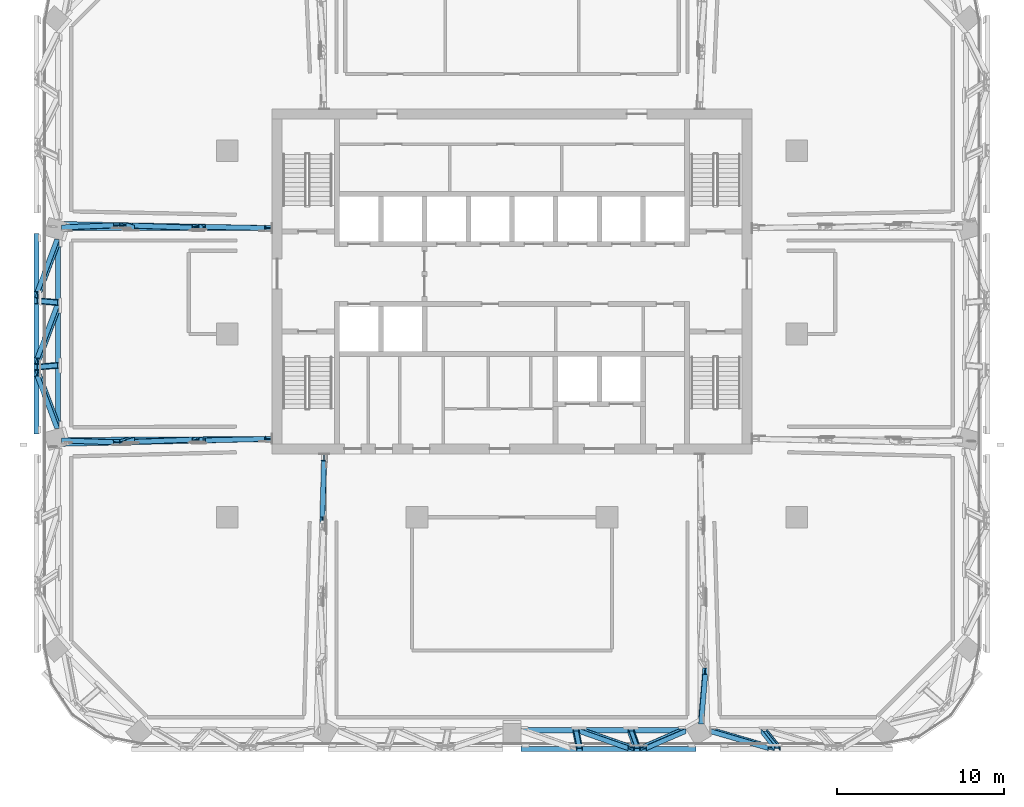
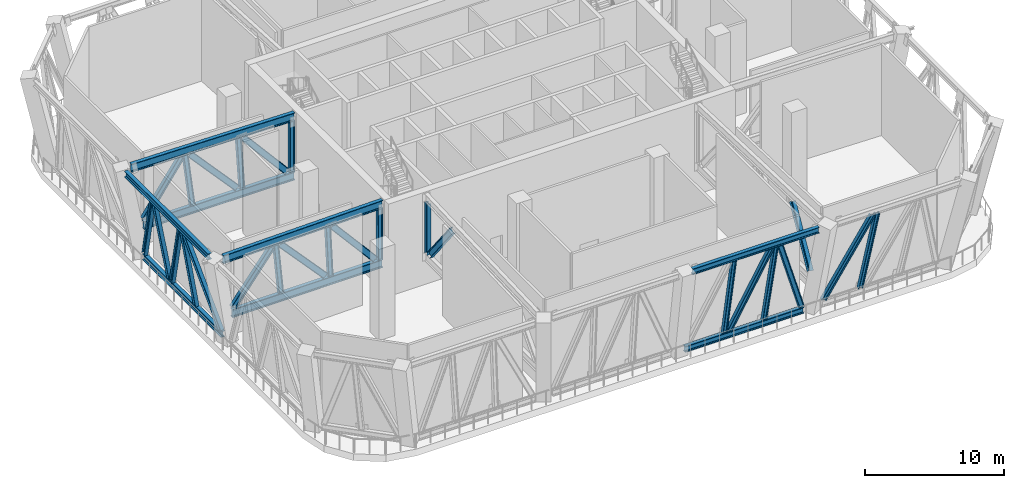
# One storey, part 2 of 24: 34 members.
"""IFC4 building model written with IfcOpenShell, lengths in metres."""

from ifc_helpers import new_model, si_unit, direction, frame, origin, origin_2d, place, context, subcontext, project, spatial, i_section, extrude, material, material_profile, profile_set, type_object, element, save


model = new_model("IFC4")

# Units and contexts
model_context = context("Model", 3, precision=1e-05, world=origin(), true_north=direction((0.0, 1.0)))
body_context = subcontext(model_context, "Body", "Model", "MODEL_VIEW")
ifc_project = project(units=[si_unit("LENGTHUNIT", "METRE"), si_unit("AREAUNIT", "SQUARE_METRE"), si_unit("VOLUMEUNIT", "CUBIC_METRE"), si_unit("PLANEANGLEUNIT", "RADIAN"), si_unit("MASSUNIT", "GRAM", prefix="KILO")], contexts=[model_context])

# Site, building, storey
site_placement = place(None, origin())
site = spatial("IfcSite", under=ifc_project, at=site_placement, CompositionType="ELEMENT")
building_placement = place(site_placement, origin())
building = spatial("IfcBuilding", under=site, at=building_placement, Name="Mopane Tessera Tower", CompositionType="ELEMENT")
storey_placement = place(building_placement, frame((0.0, 0.0, 259.0)))
storey = spatial("IfcBuildingStorey", under=building, at=storey_placement, Name="L56", CompositionType="ELEMENT", Elevation=259.0)

# Members
ifc_material_1 = material(Name="Structural steel S460", Category="steel")
ifc_material_profile_1 = material_profile(ifc_material_1, i_section(OverallWidth=0.305908203125, OverallDepth=0.52392578125, WebThickness=0.02099609375, FlangeThickness=0.0400390625, FilletRadius=0.027099609375, at=origin_2d()))
ifc_profile_set_1 = profile_set([ifc_material_profile_1], Name="Structural steel S460")
member_type_1 = type_object("IfcMemberType", Name="Belt truss chord HE 500 M", PredefinedType="CHORD", material=ifc_profile_set_1)
member_1_placement = place(storey_placement, frame((0.549560546875, -23.7890625, 0.261962890625), z_axis=(1.0, 0.0, 0.0), x_axis=(0.0, 1.0, 0.0)))
element("IfcMember", 1, at=member_1_placement, inside=storey, type_object=member_type_1, Name="Belt truss bottom chord L56 S2-S3", PredefinedType="CHORD", context=body_context, shape_type="SweptSolid", body=[
    extrude(i_section(OverallWidth=0.305908203125, OverallDepth=0.52392578125, WebThickness=0.02099609375, FlangeThickness=0.0400390625, FilletRadius=0.027099609375, at=origin_2d()), origin(), (0.0, 0.0, 1.0), 9.84912109375),
])
member_2_placement = place(storey_placement, frame((0.549560546875, -24.9013671875, 7.738037109375), z_axis=(1.0, 0.0, 0.0), x_axis=(0.0, 1.0, 0.0)))
element("IfcMember", 2, at=member_2_placement, inside=storey, type_object=member_type_1, Name="Belt truss top chord L56 S2-S3", PredefinedType="CHORD", context=body_context, shape_type="SweptSolid", body=[
    extrude(i_section(OverallWidth=0.305908203125, OverallDepth=0.52392578125, WebThickness=0.02099609375, FlangeThickness=0.0400390625, FilletRadius=0.027099609375, at=origin_2d()), origin(), (0.0, 0.0, 1.0), 10.494384765625),
])
member_3_placement = place(storey_placement, frame((-27.2451171875, 5.647216796875, 0.261962890625), z_axis=(0.0, -1.0, 0.0), x_axis=(1.0, 0.0, 0.0)))
element("IfcMember", 3, at=member_3_placement, inside=storey, type_object=member_type_1, Name="Belt truss bottom chord L56 W1-W2", PredefinedType="CHORD", context=body_context, shape_type="SweptSolid", body=[
    extrude(i_section(OverallWidth=0.305908203125, OverallDepth=0.52392578125, WebThickness=0.02099609375, FlangeThickness=0.0400390625, FilletRadius=0.027099609375, at=origin_2d()), origin(), (0.0, 0.0, 1.0), 11.29443359375),
])
member_4_placement = place(storey_placement, frame((-28.53564453125, 6.01806640625, 7.738037109375), z_axis=(0.0, -1.0, 0.0), x_axis=(1.0, 0.0, 0.0)))
element("IfcMember", 4, at=member_4_placement, inside=storey, type_object=member_type_1, Name="Belt truss top chord L56 W1-W2", PredefinedType="CHORD", context=body_context, shape_type="SweptSolid", body=[
    extrude(i_section(OverallWidth=0.305908203125, OverallDepth=0.52392578125, WebThickness=0.02099609375, FlangeThickness=0.0400390625, FilletRadius=0.027099609375, at=origin_2d()), origin(), (0.0, 0.0, 1.0), 12.0361328125),
])
ifc_material_2 = material(Name="Structural steel S460", Category="steel")
ifc_material_profile_2 = material_profile(ifc_material_2, i_section(OverallWidth=0.300048828125, OverallDepth=0.39990234375, WebThickness=0.013427734375, FlangeThickness=0.02392578125, FilletRadius=0.027099609375, at=origin_2d()))
ifc_profile_set_2 = profile_set([ifc_material_profile_2], Name="Structural steel S460")
member_type_2 = type_object("IfcMemberType", Name="Belt truss diagonal HE 400 B", PredefinedType="BRACE", material=ifc_profile_set_2)
member_5_placement = place(storey_placement, frame((4.195556640625, -23.832763671875, 0.55615234375), z_axis=(0.389358823278, -0.135566752934, 0.911055081888), x_axis=(0.053271442179, 0.990768214809, 0.124661533653)))
element("IfcMember", 5, at=member_5_placement, inside=storey, type_object=member_type_2, Name="Belt truss diagonal 1 L56 S2-S3", PredefinedType="BRACE", context=body_context, shape_type="SweptSolid", body=[
    extrude(i_section(OverallWidth=0.300048828125, OverallDepth=0.39990234375, WebThickness=0.013427734375, FlangeThickness=0.02392578125, FilletRadius=0.027099609375, at=origin_2d()), origin(), (0.0, 0.0, 1.0), 7.56005859375),
])
member_6_placement = place(storey_placement, frame((7.882080078125, -24.85693359375, 7.439208984375), z_axis=(0.322539725509, 0.139304196305, -0.936249147589), x_axis=(-0.045353355245, 0.990249635418, 0.131714588119)))
element("IfcMember", 6, at=member_6_placement, inside=storey, type_object=member_type_2, Name="Belt truss diagonal 2 L56 S2-S3", PredefinedType="BRACE", context=body_context, shape_type="SweptSolid", body=[
    extrude(i_section(OverallWidth=0.300048828125, OverallDepth=0.39990234375, WebThickness=0.013427734375, FlangeThickness=0.02392578125, FilletRadius=0.027099609375, at=origin_2d()), origin(), (0.0, 0.0, 1.0), 7.3466796875),
])
member_7_placement = place(storey_placement, frame((12.045654296875, -23.833251953125, 0.5595703125), z_axis=(0.450040201118, -0.131439317792, 0.883282244312), x_axis=(0.059668651394, 0.991324218272, 0.117115098546)))
element("IfcMember", 7, at=member_7_placement, inside=storey, type_object=member_type_2, Name="Belt truss diagonal 0 L56 S3-S4", PredefinedType="BRACE", context=body_context, shape_type="SweptSolid", body=[
    extrude(i_section(OverallWidth=0.300048828125, OverallDepth=0.39990234375, WebThickness=0.013427734375, FlangeThickness=0.02392578125, FilletRadius=0.027099609375, at=origin_2d()), origin(), (0.0, 0.0, 1.0), 7.7900390625),
])
member_8_placement = place(storey_placement, frame((-27.298828125, 5.497314453125, 0.5732421875), z_axis=(-0.155000249339, -0.412033267021, 0.89788836142), x_axis=(0.987914430128, -0.064681572715, 0.140859408261)))
element("IfcMember", 8, at=member_8_placement, inside=storey, type_object=member_type_2, Name="Belt truss diagonal 0 L56 W1-W2", PredefinedType="BRACE", context=body_context, shape_type="SweptSolid", body=[
    extrude(i_section(OverallWidth=0.300048828125, OverallDepth=0.39990234375, WebThickness=0.013427734375, FlangeThickness=0.02392578125, FilletRadius=0.027099609375, at=origin_2d()), origin(), (0.0, 0.0, 1.0), 7.6328125),
])
member_9_placement = place(storey_placement, frame((-27.298095703125, 1.5400390625, 0.56884765625), z_axis=(-0.15487208071, -0.413609320248, 0.897185582152), x_axis=(0.987934531433, -0.064825251445, 0.140652224928)))
element("IfcMember", 9, at=member_9_placement, inside=storey, type_object=member_type_2, Name="Belt truss diagonal 1 L56 W1-W2", PredefinedType="BRACE", context=body_context, shape_type="SweptSolid", body=[
    extrude(i_section(OverallWidth=0.300048828125, OverallDepth=0.39990234375, WebThickness=0.013427734375, FlangeThickness=0.02392578125, FilletRadius=0.027099609375, at=origin_2d()), origin(), (0.0, 0.0, 1.0), 7.648681640625),
])
member_10_placement = place(storey_placement, frame((-28.48193359375, -2.352294921875, 7.4267578125), z_axis=(0.155000249339, -0.412033267021, -0.89788836142), x_axis=(0.987914430128, 0.064681572715, 0.140859408261)))
element("IfcMember", 10, at=member_10_placement, inside=storey, type_object=member_type_2, Name="Belt truss diagonal 2 L56 W1-W2", PredefinedType="BRACE", context=body_context, shape_type="SweptSolid", body=[
    extrude(i_section(OverallWidth=0.300048828125, OverallDepth=0.39990234375, WebThickness=0.013427734375, FlangeThickness=0.02392578125, FilletRadius=0.027099609375, at=origin_2d()), origin(), (0.0, 0.0, 1.0), 7.6328125),
])
ifc_material_3 = material(Name="Structural steel S460", Category="steel")
ifc_material_profile_3 = material_profile(ifc_material_3, i_section(OverallWidth=0.300048828125, OverallDepth=0.360107421875, WebThickness=0.012451171875, FlangeThickness=0.0224609375, FilletRadius=0.027099609375, at=origin_2d()))
ifc_profile_set_3 = profile_set([ifc_material_profile_3], Name="Structural steel S460")
member_type_3 = type_object("IfcMemberType", Name="Belt truss post HE 360 B", PredefinedType="POST", material=ifc_profile_set_3)
member_11_placement = place(storey_placement, frame((3.84033203125, -23.827880859375, 0.52392578125), z_axis=(0.029407583865, -0.147142078416, 0.988678108775), x_axis=(0.004329345509, 0.989115365741, 0.147078380544)))
element("IfcMember", 11, at=member_11_placement, inside=storey, type_object=member_type_3, Name="Belt truss post 1 L56 S2-S3", PredefinedType="POST", context=body_context, shape_type="SweptSolid", body=[
    extrude(i_section(OverallWidth=0.300048828125, OverallDepth=0.360107421875, WebThickness=0.012451171875, FlangeThickness=0.0224609375, FilletRadius=0.027099609375, at=origin_2d()), origin(), (0.0, 0.0, 1.0), 7.03173828125),
])
member_12_placement = place(storey_placement, frame((7.130126953125, -23.827880859375, 0.52392578125), z_axis=(0.054521762792, -0.146986787986, 0.987634680203), x_axis=(0.00814252161, 0.989138454689, 0.146761087477)))
element("IfcMember", 12, at=member_12_placement, inside=storey, type_object=member_type_3, Name="Belt truss post 2 L56 S2-S3", PredefinedType="POST", context=body_context, shape_type="SweptSolid", body=[
    extrude(i_section(OverallWidth=0.300048828125, OverallDepth=0.360107421875, WebThickness=0.012451171875, FlangeThickness=0.0224609375, FilletRadius=0.027099609375, at=origin_2d()), origin(), (0.0, 0.0, 1.0), 7.039306640625),
])
member_13_placement = place(storey_placement, frame((15.113037109375, -23.827880859375, 0.52392578125), z_axis=(0.115002703841, -0.14622906057, 0.98254335271), x_axis=(0.016961755539, 0.989250757106, 0.145241999487)))
element("IfcMember", 13, at=member_13_placement, inside=storey, type_object=member_type_3, Name="Belt truss post 1 L56 S3-S4", PredefinedType="POST", context=body_context, shape_type="SweptSolid", body=[
    extrude(i_section(OverallWidth=0.300048828125, OverallDepth=0.360107421875, WebThickness=0.012451171875, FlangeThickness=0.0224609375, FilletRadius=0.027099609375, at=origin_2d()), origin(), (0.0, 0.0, 1.0), 7.07568359375),
])
for number, where, z_axis, x_axis, name in (
    (14, (-27.290283203125, 1.88623046875, 0.52392578125), (-0.170101743436, 0.01470570402, 0.985316770967), (0.985426502995, 0.002473687566, 0.170083767787), "Belt truss post 1 L56 W1-W2"),
    (15, (-27.290283203125, -1.88623046875, 0.52392578125), (-0.170101743436, -0.01470570402, 0.985316770967), (0.985426502995, -0.002473687566, 0.170083767787), "Belt truss post 2 L56 W1-W2"),
):
    element("IfcMember", number, at=place(storey_placement, frame(where, z_axis=z_axis, x_axis=x_axis)), inside=storey, type_object=member_type_3, Name=name, PredefinedType="POST", context=body_context, shape_type="SweptSolid", body=[
        extrude(i_section(OverallWidth=0.300048828125, OverallDepth=0.360107421875, WebThickness=0.012451171875, FlangeThickness=0.0224609375, FilletRadius=0.027099609375, at=origin_2d()), origin(), (0.0, 0.0, 1.0), 7.0556640625),
    ])
ifc_material_4 = material(Name="Structural steel S460", Category="steel")
ifc_material_profile_4 = material_profile(ifc_material_4, i_section(OverallWidth=0.303955078125, OverallDepth=0.716064453125, WebThickness=0.02099609375, FlangeThickness=0.0400390625, FilletRadius=0.027099609375, at=origin_2d()))
ifc_profile_set_4 = profile_set([ifc_material_profile_4], Name="Structural steel S460")
member_type_4 = type_object("IfcMemberType", Name="Outrigger truss chord HE 700 M", PredefinedType="CHORD", material=ifc_profile_set_4)
member_14_placement = place(storey_placement, frame((-14.414794921875, 6.354248046875, 2.4580078125), z_axis=(-0.999999094567, 0.001345683813, 0.0), x_axis=(-0.001345683813, -0.999999094567, 0.0)))
element("IfcMember", 16, at=member_14_placement, inside=storey, type_object=member_type_4, Name="Outrigger truss bottom chord L56 W1", PredefinedType="CHORD", context=body_context, shape_type="SweptSolid", body=[
    extrude(i_section(OverallWidth=0.303955078125, OverallDepth=0.716064453125, WebThickness=0.02099609375, FlangeThickness=0.0400390625, FilletRadius=0.027099609375, at=origin_2d()), origin(), (0.0, 0.0, 1.0), 12.518310546875),
])
member_15_placement = place(storey_placement, frame((-14.414794921875, 6.3544921875, 7.64208984375), z_axis=(-0.999810504162, 0.01946678627, 0.0), x_axis=(-0.01946678627, -0.999810504162, 0.0)))
element("IfcMember", 17, at=member_15_placement, inside=storey, type_object=member_type_4, Name="Outrigger truss top chord L56 W1", PredefinedType="CHORD", context=body_context, shape_type="SweptSolid", body=[
    extrude(i_section(OverallWidth=0.303955078125, OverallDepth=0.716064453125, WebThickness=0.02099609375, FlangeThickness=0.0400390625, FilletRadius=0.027099609375, at=origin_2d()), origin(), (0.0, 0.0, 1.0), 13.419189453125),
])
member_16_placement = place(storey_placement, frame((-14.415283203125, -6.300048828125, 2.4580078125), z_axis=(-0.999985199047, -0.0054407432, 0.0), x_axis=(0.0054407432, -0.999985199047, 0.0)))
element("IfcMember", 18, at=member_16_placement, inside=storey, type_object=member_type_4, Name="Outrigger truss bottom chord L56 W2", PredefinedType="CHORD", context=body_context, shape_type="SweptSolid", body=[
    extrude(i_section(OverallWidth=0.303955078125, OverallDepth=0.716064453125, WebThickness=0.02099609375, FlangeThickness=0.0400390625, FilletRadius=0.027099609375, at=origin_2d()), origin(), (0.0, 0.0, 1.0), 12.51953125),
])
member_17_placement = place(storey_placement, frame((-14.415283203125, -6.30029296875, 7.64208984375), z_axis=(-0.999728472571, -0.023301955519, 0.0), x_axis=(0.023301955519, -0.999728472571, 0.0)))
element("IfcMember", 19, at=member_17_placement, inside=storey, type_object=member_type_4, Name="Outrigger truss top chord L56 W2", PredefinedType="CHORD", context=body_context, shape_type="SweptSolid", body=[
    extrude(i_section(OverallWidth=0.303955078125, OverallDepth=0.716064453125, WebThickness=0.02099609375, FlangeThickness=0.0400390625, FilletRadius=0.027099609375, at=origin_2d()), origin(), (0.0, 0.0, 1.0), 13.42138671875),
])
ifc_material_5 = material(Name="Structural steel S460", Category="steel")
ifc_material_profile_5 = material_profile(ifc_material_5, i_section(OverallWidth=0.300048828125, OverallDepth=0.5, WebThickness=0.014404296875, FlangeThickness=0.028076171875, FilletRadius=0.027099609375, at=origin_2d()))
ifc_profile_set_5 = profile_set([ifc_material_profile_5], Name="Structural steel S460")
member_type_5 = type_object("IfcMemberType", Name="Outrigger truss diagonal HE 500 B", PredefinedType="BRACE", material=ifc_profile_set_5)
member_18_placement = place(storey_placement, frame((-14.98876953125, 6.35595703125, 2.940185546875), z_axis=(-0.649393255527, 0.013197261662, 0.760338235235), x_axis=(-0.009362805159, -0.999912370188, 0.009358943607)))
element("IfcMember", 20, at=member_18_placement, inside=storey, type_object=member_type_5, Name="Outrigger truss diagonal 0 L56 W1", PredefinedType="BRACE", context=body_context, shape_type="SweptSolid", body=[
    extrude(i_section(OverallWidth=0.300048828125, OverallDepth=0.5, WebThickness=0.014404296875, FlangeThickness=0.028076171875, FilletRadius=0.027099609375, at=origin_2d()), origin(), (0.0, 0.0, 1.0), 5.5498046875),
])
member_19_placement = place(storey_placement, frame((-19.120849609375, 6.368896484375, 2.940185546875), z_axis=(-0.671895085158, 0.024240987902, 0.740249531608), x_axis=(-0.017033649707, -0.999705642869, 0.01727664298)))
element("IfcMember", 21, at=member_19_placement, inside=storey, type_object=member_type_5, Name="Outrigger truss diagonal 1 L56 W1", PredefinedType="BRACE", context=body_context, shape_type="SweptSolid", body=[
    extrude(i_section(OverallWidth=0.300048828125, OverallDepth=0.5, WebThickness=0.014404296875, FlangeThickness=0.028076171875, FilletRadius=0.027099609375, at=origin_2d()), origin(), (0.0, 0.0, 1.0), 5.700439453125),
])
member_20_placement = place(storey_placement, frame((-23.730224609375, 6.520751953125, 7.153076171875), z_axis=(-0.595278252475, -0.024288508853, -0.803152457799), x_axis=(0.013561629314, -0.999704361891, 0.020180957037)))
element("IfcMember", 22, at=member_20_placement, inside=storey, type_object=member_type_5, Name="Outrigger truss diagonal 2 L56 W1", PredefinedType="BRACE", context=body_context, shape_type="SweptSolid", body=[
    extrude(i_section(OverallWidth=0.300048828125, OverallDepth=0.5, WebThickness=0.014404296875, FlangeThickness=0.028076171875, FilletRadius=0.027099609375, at=origin_2d()), origin(), (0.0, 0.0, 1.0), 5.23681640625),
])
member_21_placement = place(storey_placement, frame((-14.989501953125, -6.30419921875, 2.940185546875), z_axis=(-0.649395612359, -0.015659746528, 0.760289491567), x_axis=(0.013310752337, -0.999868852077, -0.009225102672)))
element("IfcMember", 23, at=member_21_placement, inside=storey, type_object=member_type_5, Name="Outrigger truss diagonal 0 L56 W2", PredefinedType="BRACE", context=body_context, shape_type="SweptSolid", body=[
    extrude(i_section(OverallWidth=0.300048828125, OverallDepth=0.5, WebThickness=0.014404296875, FlangeThickness=0.028076171875, FilletRadius=0.027099609375, at=origin_2d()), origin(), (0.0, 0.0, 1.0), 5.550048828125),
])
member_22_placement = place(storey_placement, frame((-19.121826171875, -6.333984375, 2.940185546875), z_axis=(-0.671876819499, -0.026679792119, 0.740182226288), x_axis=(0.020936535323, -0.999635800003, -0.017027296964)))
element("IfcMember", 24, at=member_22_placement, inside=storey, type_object=member_type_5, Name="Outrigger truss diagonal 1 L56 W2", PredefinedType="BRACE", context=body_context, shape_type="SweptSolid", body=[
    extrude(i_section(OverallWidth=0.300048828125, OverallDepth=0.5, WebThickness=0.014404296875, FlangeThickness=0.028076171875, FilletRadius=0.027099609375, at=origin_2d()), origin(), (0.0, 0.0, 1.0), 5.700927734375),
])
member_23_placement = place(storey_placement, frame((-23.7314453125, -6.502685546875, 7.153076171875), z_axis=(-0.59534587032, 0.021538746444, -0.803180787304), x_axis=(-0.009328879306, -0.999758542568, -0.019895441022)))
element("IfcMember", 25, at=member_23_placement, inside=storey, type_object=member_type_5, Name="Outrigger truss diagonal 2 L56 W2", PredefinedType="BRACE", context=body_context, shape_type="SweptSolid", body=[
    extrude(i_section(OverallWidth=0.300048828125, OverallDepth=0.5, WebThickness=0.014404296875, FlangeThickness=0.028076171875, FilletRadius=0.027099609375, at=origin_2d()), origin(), (0.0, 0.0, 1.0), 5.23681640625),
])
member_24_placement = place(storey_placement, frame((-11.283935546875, -7.791748046875, 2.935302734375), z_axis=(-0.017716543974, -0.62431658396, 0.780970503324), x_axis=(0.999842066409, -0.012157918082, 0.012962533167)))
element("IfcMember", 26, at=member_24_placement, inside=storey, type_object=member_type_5, Name="Outrigger truss diagonal 0 L56 S1", PredefinedType="BRACE", context=body_context, shape_type="SweptSolid", body=[
    extrude(i_section(OverallWidth=0.300048828125, OverallDepth=0.5, WebThickness=0.014404296875, FlangeThickness=0.028076171875, FilletRadius=0.027099609375, at=origin_2d()), origin(), (0.0, 0.0, 1.0), 5.415771484375),
])
member_25_placement = place(storey_placement, frame((11.60400390625, -20.223876953125, 7.157470703125), z_axis=(-0.04912804951, -0.57773831134, -0.814742215895), x_axis=(0.998791372315, -0.027198006466, -0.040939748808)))
element("IfcMember", 27, at=member_25_placement, inside=storey, type_object=member_type_5, Name="Outrigger truss diagonal 3 L56 S3", PredefinedType="BRACE", context=body_context, shape_type="SweptSolid", body=[
    extrude(i_section(OverallWidth=0.300048828125, OverallDepth=0.5, WebThickness=0.014404296875, FlangeThickness=0.028076171875, FilletRadius=0.027099609375, at=origin_2d()), origin(), (0.0, 0.0, 1.0), 5.17333984375),
])
ifc_material_6 = material(Name="Structural steel S460", Category="steel")
ifc_material_profile_6 = material_profile(ifc_material_6, i_section(OverallWidth=0.300048828125, OverallDepth=0.39990234375, WebThickness=0.013427734375, FlangeThickness=0.02392578125, FilletRadius=0.027099609375, at=origin_2d()))
ifc_profile_set_6 = profile_set([ifc_material_profile_6], Name="Structural steel S460")
member_type_6 = type_object("IfcMemberType", Name="Outrigger truss post HE 400 B", PredefinedType="POST", material=ifc_profile_set_6)
member_26_placement = place(storey_placement, frame((-14.61572265625, 6.354736328125, 2.81591796875), z_axis=(-0.002786721209, 0.000819623885, 0.999995781192), x_axis=(-0.007518809235, -0.999971414424, 0.000798651)))
element("IfcMember", 28, at=member_26_placement, inside=storey, type_object=member_type_6, Name="Outrigger truss post 0 L56 W1", PredefinedType="POST", context=body_context, shape_type="SweptSolid", body=[
    extrude(i_section(OverallWidth=0.300048828125, OverallDepth=0.39990234375, WebThickness=0.013427734375, FlangeThickness=0.02392578125, FilletRadius=0.027099609375, at=origin_2d()), origin(), (0.0, 0.0, 1.0), 4.468017578125),
])
member_27_placement = place(storey_placement, frame((-18.740966796875, 6.36572265625, 2.81591796875), z_axis=(-0.056347903255, 0.016200704034, 0.998279745857), x_axis=(-0.002334096558, -0.999867747132, 0.016094727018)))
element("IfcMember", 29, at=member_27_placement, inside=storey, type_object=member_type_6, Name="Outrigger truss post 1 L56 W1", PredefinedType="POST", context=body_context, shape_type="SweptSolid", body=[
    extrude(i_section(OverallWidth=0.300048828125, OverallDepth=0.39990234375, WebThickness=0.013427734375, FlangeThickness=0.02392578125, FilletRadius=0.027099609375, at=origin_2d()), origin(), (0.0, 0.0, 1.0), 4.475830078125),
])
member_28_placement = place(storey_placement, frame((-22.866455078125, 6.376708984375, 2.81591796875), z_axis=(-0.109280551584, 0.031432409025, 0.993513847266), x_axis=(-0.004954392617, -0.999504714616, 0.031076992373)))
element("IfcMember", 30, at=member_28_placement, inside=storey, type_object=member_type_6, Name="Outrigger truss post 2 L56 W1", PredefinedType="POST", context=body_context, shape_type="SweptSolid", body=[
    extrude(i_section(OverallWidth=0.300048828125, OverallDepth=0.39990234375, WebThickness=0.013427734375, FlangeThickness=0.02392578125, FilletRadius=0.027099609375, at=origin_2d()), origin(), (0.0, 0.0, 1.0), 4.4970703125),
])
member_29_placement = place(storey_placement, frame((-14.6162109375, -6.301513671875, 2.81591796875), z_axis=(-0.002841362364, -0.000819623759, 0.999995627429), x_axis=(0.006402637012, -0.999979181768, -0.000801417988)))
element("IfcMember", 31, at=member_29_placement, inside=storey, type_object=member_type_6, Name="Outrigger truss post 0 L56 W2", PredefinedType="POST", context=body_context, shape_type="SweptSolid", body=[
    extrude(i_section(OverallWidth=0.300048828125, OverallDepth=0.39990234375, WebThickness=0.013427734375, FlangeThickness=0.02392578125, FilletRadius=0.027099609375, at=origin_2d()), origin(), (0.0, 0.0, 1.0), 4.468017578125),
])
member_30_placement = place(storey_placement, frame((-18.741943359375, -6.329345703125, 2.81591796875), z_axis=(-0.056293528373, -0.016200753805, 0.998282812754), x_axis=(0.006675722325, -0.999852098748, -0.01584977476)))
element("IfcMember", 32, at=member_30_placement, inside=storey, type_object=member_type_6, Name="Outrigger truss post 1 L56 W2", PredefinedType="POST", context=body_context, shape_type="SweptSolid", body=[
    extrude(i_section(OverallWidth=0.300048828125, OverallDepth=0.39990234375, WebThickness=0.013427734375, FlangeThickness=0.02392578125, FilletRadius=0.027099609375, at=origin_2d()), origin(), (0.0, 0.0, 1.0), 4.4755859375),
])
member_31_placement = place(storey_placement, frame((-22.86767578125, -6.357177734375, 2.81591796875), z_axis=(-0.109280551584, -0.031432409025, 0.993513847266), x_axis=(0.009005191597, -0.999490195166, -0.030630969473)))
element("IfcMember", 33, at=member_31_placement, inside=storey, type_object=member_type_6, Name="Outrigger truss post 2 L56 W2", PredefinedType="POST", context=body_context, shape_type="SweptSolid", body=[
    extrude(i_section(OverallWidth=0.300048828125, OverallDepth=0.39990234375, WebThickness=0.013427734375, FlangeThickness=0.02392578125, FilletRadius=0.027099609375, at=origin_2d()), origin(), (0.0, 0.0, 1.0), 4.4970703125),
])
member_32_placement = place(storey_placement, frame((-11.281982421875, -7.41552734375, 2.81591796875), z_axis=(-0.001147475544, -0.001857817548, 0.999997615904), x_axis=(0.99956056089, -0.029622504613, 0.001091940693)))
element("IfcMember", 34, at=member_32_placement, inside=storey, type_object=member_type_6, Name="Outrigger truss post 0 L56 S1", PredefinedType="POST", context=body_context, shape_type="SweptSolid", body=[
    extrude(i_section(OverallWidth=0.300048828125, OverallDepth=0.39990234375, WebThickness=0.013427734375, FlangeThickness=0.02392578125, FilletRadius=0.027099609375, at=origin_2d()), origin(), (0.0, 0.0, 1.0), 4.468017578125),
])

save(model, "model.ifc")
